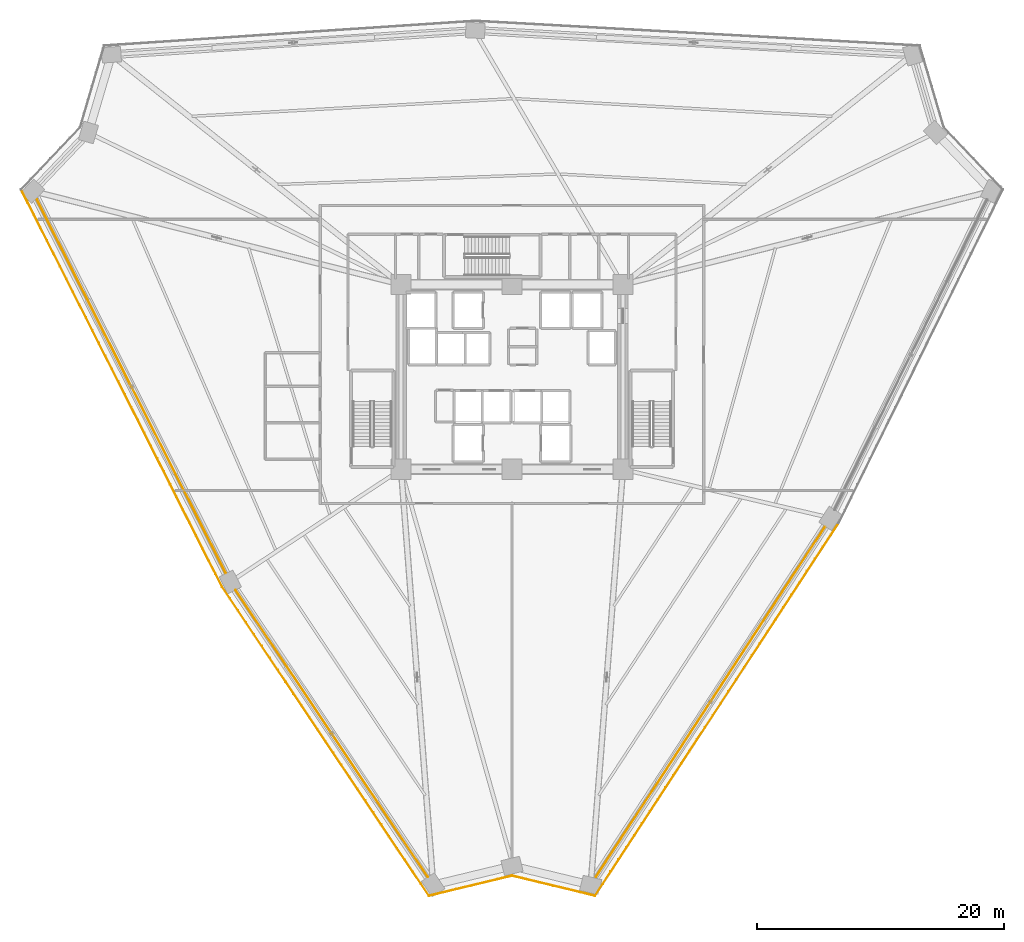
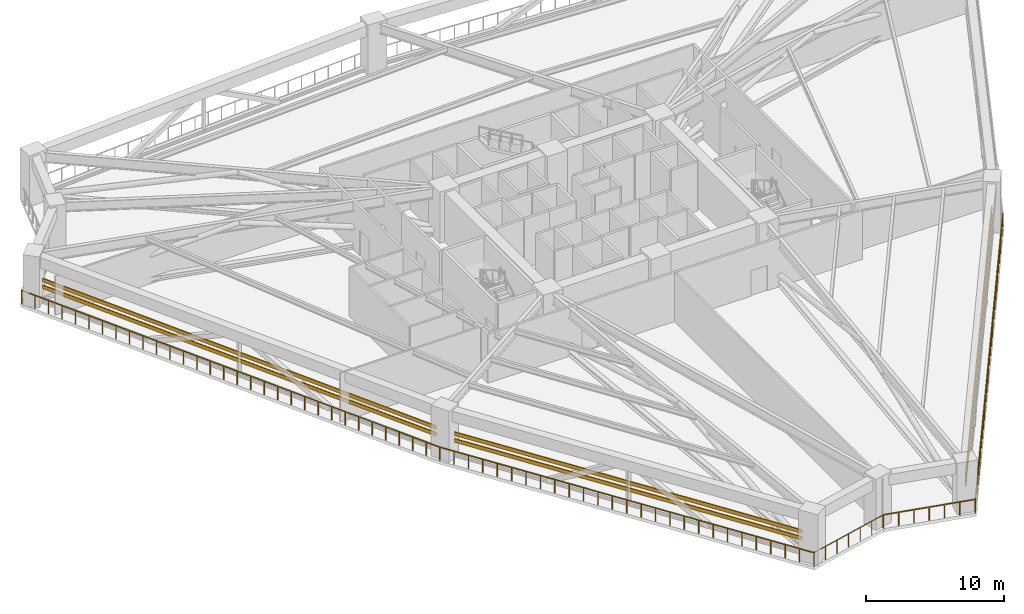
# One storey, part 21 of 25: 6 shading devices, 5 railings.
"""IFC4 building model written with IfcOpenShell, lengths in metres."""

from ifc_helpers import new_model, si_unit, direction, frame, origin, origin_2d, place, context, subcontext, project, spatial, rectangle, extrude, source, transform, mapped, material, material_profile, profile_set, type_object, element, save


model = new_model("IFC4")

# Units and contexts
model_context = context("Model", 3, precision=1e-05, world=origin(), true_north=direction((0.0, 1.0)))
body_context = subcontext(model_context, "Body", "Model", "MODEL_VIEW")
ifc_project = project(units=[si_unit("LENGTHUNIT", "METRE"), si_unit("AREAUNIT", "SQUARE_METRE"), si_unit("VOLUMEUNIT", "CUBIC_METRE"), si_unit("PLANEANGLEUNIT", "RADIAN"), si_unit("MASSUNIT", "GRAM", prefix="KILO")], contexts=[model_context])

# Site, building, storey
site_placement = place(None, origin())
site = spatial("IfcSite", under=ifc_project, at=site_placement, CompositionType="ELEMENT")
building_placement = place(site_placement, origin())
building = spatial("IfcBuilding", under=site, at=building_placement, Name="Liaohun Quay Tower", CompositionType="ELEMENT")
storey_placement = place(building_placement, frame((0.0, 0.0, 47.25)))
storey = spatial("IfcBuildingStorey", under=building, at=storey_placement, Name="L12", CompositionType="ELEMENT", Elevation=47.25)

# Railings
ifc_material_1 = material(Name="Galvanised and powder-coated steel", Category="steel")
railing_type = type_object("IfcRailingType", Name="RLG-GUARD-EXT", PredefinedType="GUARDRAIL", material=ifc_material_1)
railing_1_placement = place(storey_placement, frame((53.264892578125, 11.906005859375, 0.0)))
element("IfcRailing", 1, at=railing_1_placement, inside=storey, type_object=railing_type, Name="L12 Open Refuge Band Perimeter Guardrail 01", PredefinedType="GUARDRAIL", context=body_context, shape_type="SweptSolid", body=[
    extrude(rectangle(XDim=0.048095703125, YDim=0.048095703125, at=origin_2d()), frame((0.0, 0.0, 1.17578125), z_axis=(-0.556400231547, 0.830914425398, 0.0), x_axis=(-0.830914425398, -0.556400231547, 0.0)), (0.0, 0.0, 1.0), 30.17041015625),
    extrude(rectangle(XDim=0.0419921875, YDim=0.0419921875, at=origin_2d()), origin(), (0.0, 0.0, 1.0), 1.15185546875),
    extrude(rectangle(XDim=0.0419921875, YDim=0.0419921875, at=origin_2d()), frame((-0.645751953125, 0.964111328125, 0.0)), (0.0, 0.0, 1.0), 1.15185546875),
    extrude(rectangle(XDim=0.0419921875, YDim=0.0419921875, at=origin_2d()), frame((-1.291259765625, 1.928466796875, 0.0)), (0.0, 0.0, 1.0), 1.15185546875),
    extrude(rectangle(XDim=0.0419921875, YDim=0.0419921875, at=origin_2d()), frame((-1.93701171875, 2.892578125, 0.0)), (0.0, 0.0, 1.0), 1.15185546875),
    extrude(rectangle(XDim=0.0419921875, YDim=0.0419921875, at=origin_2d()), frame((-2.58251953125, 3.856689453125, 0.0)), (0.0, 0.0, 1.0), 1.15185546875),
    extrude(rectangle(XDim=0.0419921875, YDim=0.0419921875, at=origin_2d()), frame((-3.228271484375, 4.821044921875, 0.0)), (0.0, 0.0, 1.0), 1.15185546875),
    extrude(rectangle(XDim=0.0419921875, YDim=0.0419921875, at=origin_2d()), frame((-3.873779296875, 5.78515625, 0.0)), (0.0, 0.0, 1.0), 1.15185546875),
    extrude(rectangle(XDim=0.0419921875, YDim=0.0419921875, at=origin_2d()), frame((-4.51953125, 6.749267578125, 0.0)), (0.0, 0.0, 1.0), 1.15185546875),
    extrude(rectangle(XDim=0.0419921875, YDim=0.0419921875, at=origin_2d()), frame((-5.165283203125, 7.713623046875, 0.0)), (0.0, 0.0, 1.0), 1.15185546875),
    extrude(rectangle(XDim=0.0419921875, YDim=0.0419921875, at=origin_2d()), frame((-5.810791015625, 8.677734375, 0.0)), (0.0, 0.0, 1.0), 1.15185546875),
    extrude(rectangle(XDim=0.0419921875, YDim=0.0419921875, at=origin_2d()), frame((-6.45654296875, 9.641845703125, 0.0)), (0.0, 0.0, 1.0), 1.15185546875),
    extrude(rectangle(XDim=0.0419921875, YDim=0.0419921875, at=origin_2d()), frame((-7.10205078125, 10.606201171875, 0.0)), (0.0, 0.0, 1.0), 1.15185546875),
    extrude(rectangle(XDim=0.0419921875, YDim=0.0419921875, at=origin_2d()), frame((-7.747802734375, 11.5703125, 0.0)), (0.0, 0.0, 1.0), 1.15185546875),
    extrude(rectangle(XDim=0.0419921875, YDim=0.0419921875, at=origin_2d()), frame((-8.3935546875, 12.53466796875, 0.0)), (0.0, 0.0, 1.0), 1.15185546875),
    extrude(rectangle(XDim=0.0419921875, YDim=0.0419921875, at=origin_2d()), frame((-9.0390625, 13.498779296875, 0.0)), (0.0, 0.0, 1.0), 1.15185546875),
    extrude(rectangle(XDim=0.0419921875, YDim=0.0419921875, at=origin_2d()), frame((-9.684814453125, 14.462890625, 0.0)), (0.0, 0.0, 1.0), 1.15185546875),
    extrude(rectangle(XDim=0.0419921875, YDim=0.0419921875, at=origin_2d()), frame((-10.330322265625, 15.42724609375, 0.0)), (0.0, 0.0, 1.0), 1.15185546875),
    extrude(rectangle(XDim=0.0419921875, YDim=0.0419921875, at=origin_2d()), frame((-10.97607421875, 16.391357421875, 0.0)), (0.0, 0.0, 1.0), 1.15185546875),
    extrude(rectangle(XDim=0.0419921875, YDim=0.0419921875, at=origin_2d()), frame((-11.62158203125, 17.35546875, 0.0)), (0.0, 0.0, 1.0), 1.15185546875),
    extrude(rectangle(XDim=0.0419921875, YDim=0.0419921875, at=origin_2d()), frame((-12.267333984375, 18.31982421875, 0.0)), (0.0, 0.0, 1.0), 1.15185546875),
    extrude(rectangle(XDim=0.0419921875, YDim=0.0419921875, at=origin_2d()), frame((-12.9130859375, 19.283935546875, 0.0)), (0.0, 0.0, 1.0), 1.15185546875),
    extrude(rectangle(XDim=0.0419921875, YDim=0.0419921875, at=origin_2d()), frame((-13.55859375, 20.248046875, 0.0)), (0.0, 0.0, 1.0), 1.15185546875),
    extrude(rectangle(XDim=0.0419921875, YDim=0.0419921875, at=origin_2d()), frame((-14.204345703125, 21.21240234375, 0.0)), (0.0, 0.0, 1.0), 1.15185546875),
    extrude(rectangle(XDim=0.0419921875, YDim=0.0419921875, at=origin_2d()), frame((-14.849853515625, 22.176513671875, 0.0)), (0.0, 0.0, 1.0), 1.15185546875),
    extrude(rectangle(XDim=0.0419921875, YDim=0.0419921875, at=origin_2d()), frame((-15.49560546875, 23.140625, 0.0)), (0.0, 0.0, 1.0), 1.15185546875),
    extrude(rectangle(XDim=0.0419921875, YDim=0.0419921875, at=origin_2d()), frame((-16.14111328125, 24.10498046875, 0.0)), (0.0, 0.0, 1.0), 1.15185546875),
    extrude(rectangle(XDim=0.0419921875, YDim=0.0419921875, at=origin_2d()), frame((-16.786865234375, 25.069091796875, 0.0)), (0.0, 0.0, 1.0), 1.15185546875),
])
railing_2_placement = place(storey_placement, frame((36.47802734375, 36.97509765625, 0.0)))
element("IfcRailing", 2, at=railing_2_placement, inside=storey, type_object=railing_type, Name="L12 Open Refuge Band Perimeter Guardrail 02", PredefinedType="GUARDRAIL", context=body_context, shape_type="SweptSolid", body=[
    extrude(rectangle(XDim=0.048095703125, YDim=0.048095703125, at=origin_2d()), frame((0.0, 0.0, 1.17578125), z_axis=(-0.451163945197, 0.892441087442, 0.0), x_axis=(-0.892441087442, -0.451163945197, 0.0)), (0.0, 0.0, 1.0), 36.126708984375),
    extrude(rectangle(XDim=0.0419921875, YDim=0.0419921875, at=origin_2d()), origin(), (0.0, 0.0, 1.0), 1.15185546875),
    extrude(rectangle(XDim=0.0419921875, YDim=0.0419921875, at=origin_2d()), frame((-0.52587890625, 1.0400390625, 0.0)), (0.0, 0.0, 1.0), 1.15185546875),
    extrude(rectangle(XDim=0.0419921875, YDim=0.0419921875, at=origin_2d()), frame((-1.051513671875, 2.080078125, 0.0)), (0.0, 0.0, 1.0), 1.15185546875),
    extrude(rectangle(XDim=0.0419921875, YDim=0.0419921875, at=origin_2d()), frame((-1.577392578125, 3.1201171875, 0.0)), (0.0, 0.0, 1.0), 1.15185546875),
    extrude(rectangle(XDim=0.0419921875, YDim=0.0419921875, at=origin_2d()), frame((-2.10302734375, 4.16015625, 0.0)), (0.0, 0.0, 1.0), 1.15185546875),
    extrude(rectangle(XDim=0.0419921875, YDim=0.0419921875, at=origin_2d()), frame((-2.62890625, 5.2001953125, 0.0)), (0.0, 0.0, 1.0), 1.15185546875),
    extrude(rectangle(XDim=0.0419921875, YDim=0.0419921875, at=origin_2d()), frame((-3.154541015625, 6.240234375, 0.0)), (0.0, 0.0, 1.0), 1.15185546875),
    extrude(rectangle(XDim=0.0419921875, YDim=0.0419921875, at=origin_2d()), frame((-3.680419921875, 7.2802734375, 0.0)), (0.0, 0.0, 1.0), 1.15185546875),
    extrude(rectangle(XDim=0.0419921875, YDim=0.0419921875, at=origin_2d()), frame((-4.206298828125, 8.3203125, 0.0)), (0.0, 0.0, 1.0), 1.15185546875),
    extrude(rectangle(XDim=0.0419921875, YDim=0.0419921875, at=origin_2d()), frame((-4.73193359375, 9.3603515625, 0.0)), (0.0, 0.0, 1.0), 1.15185546875),
    extrude(rectangle(XDim=0.0419921875, YDim=0.0419921875, at=origin_2d()), frame((-5.2578125, 10.400390625, 0.0)), (0.0, 0.0, 1.0), 1.15185546875),
    extrude(rectangle(XDim=0.0419921875, YDim=0.0419921875, at=origin_2d()), frame((-5.783447265625, 11.4404296875, 0.0)), (0.0, 0.0, 1.0), 1.15185546875),
    extrude(rectangle(XDim=0.0419921875, YDim=0.0419921875, at=origin_2d()), frame((-6.309326171875, 12.48046875, 0.0)), (0.0, 0.0, 1.0), 1.15185546875),
    extrude(rectangle(XDim=0.0419921875, YDim=0.0419921875, at=origin_2d()), frame((-6.835205078125, 13.5205078125, 0.0)), (0.0, 0.0, 1.0), 1.15185546875),
    extrude(rectangle(XDim=0.0419921875, YDim=0.0419921875, at=origin_2d()), frame((-7.36083984375, 14.560546875, 0.0)), (0.0, 0.0, 1.0), 1.15185546875),
    extrude(rectangle(XDim=0.0419921875, YDim=0.0419921875, at=origin_2d()), frame((-7.88671875, 15.6005859375, 0.0)), (0.0, 0.0, 1.0), 1.15185546875),
    extrude(rectangle(XDim=0.0419921875, YDim=0.0419921875, at=origin_2d()), frame((-8.412353515625, 16.640380859375, 0.0)), (0.0, 0.0, 1.0), 1.15185546875),
    extrude(rectangle(XDim=0.0419921875, YDim=0.0419921875, at=origin_2d()), frame((-8.938232421875, 17.680419921875, 0.0)), (0.0, 0.0, 1.0), 1.15185546875),
    extrude(rectangle(XDim=0.0419921875, YDim=0.0419921875, at=origin_2d()), frame((-9.4638671875, 18.720458984375, 0.0)), (0.0, 0.0, 1.0), 1.15185546875),
    extrude(rectangle(XDim=0.0419921875, YDim=0.0419921875, at=origin_2d()), frame((-9.98974609375, 19.760498046875, 0.0)), (0.0, 0.0, 1.0), 1.15185546875),
    extrude(rectangle(XDim=0.0419921875, YDim=0.0419921875, at=origin_2d()), frame((-10.515625, 20.800537109375, 0.0)), (0.0, 0.0, 1.0), 1.15185546875),
    extrude(rectangle(XDim=0.0419921875, YDim=0.0419921875, at=origin_2d()), frame((-11.041259765625, 21.840576171875, 0.0)), (0.0, 0.0, 1.0), 1.15185546875),
    extrude(rectangle(XDim=0.0419921875, YDim=0.0419921875, at=origin_2d()), frame((-11.567138671875, 22.880615234375, 0.0)), (0.0, 0.0, 1.0), 1.15185546875),
    extrude(rectangle(XDim=0.0419921875, YDim=0.0419921875, at=origin_2d()), frame((-12.0927734375, 23.920654296875, 0.0)), (0.0, 0.0, 1.0), 1.15185546875),
    extrude(rectangle(XDim=0.0419921875, YDim=0.0419921875, at=origin_2d()), frame((-12.61865234375, 24.960693359375, 0.0)), (0.0, 0.0, 1.0), 1.15185546875),
    extrude(rectangle(XDim=0.0419921875, YDim=0.0419921875, at=origin_2d()), frame((-13.14453125, 26.000732421875, 0.0)), (0.0, 0.0, 1.0), 1.15185546875),
    extrude(rectangle(XDim=0.0419921875, YDim=0.0419921875, at=origin_2d()), frame((-13.670166015625, 27.040771484375, 0.0)), (0.0, 0.0, 1.0), 1.15185546875),
    extrude(rectangle(XDim=0.0419921875, YDim=0.0419921875, at=origin_2d()), frame((-14.196044921875, 28.080810546875, 0.0)), (0.0, 0.0, 1.0), 1.15185546875),
    extrude(rectangle(XDim=0.0419921875, YDim=0.0419921875, at=origin_2d()), frame((-14.7216796875, 29.120849609375, 0.0)), (0.0, 0.0, 1.0), 1.15185546875),
    extrude(rectangle(XDim=0.0419921875, YDim=0.0419921875, at=origin_2d()), frame((-15.24755859375, 30.160888671875, 0.0)), (0.0, 0.0, 1.0), 1.15185546875),
    extrude(rectangle(XDim=0.0419921875, YDim=0.0419921875, at=origin_2d()), frame((-15.773193359375, 31.200927734375, 0.0)), (0.0, 0.0, 1.0), 1.15185546875),
    extrude(rectangle(XDim=0.0419921875, YDim=0.0419921875, at=origin_2d()), frame((-16.299072265625, 32.240966796875, 0.0)), (0.0, 0.0, 1.0), 1.15185546875),
])
railing_3_placement = place(storey_placement, frame((86.50390625, 42.14208984375, 0.0)))
element("IfcRailing", 3, at=railing_3_placement, inside=storey, type_object=railing_type, Name="L12 Open Refuge Band Perimeter Guardrail 10", PredefinedType="GUARDRAIL", context=body_context, shape_type="SweptSolid", body=[
    extrude(rectangle(XDim=0.048095703125, YDim=0.048095703125, at=origin_2d()), frame((0.0, 0.0, 1.17578125), z_axis=(-0.547254643367, -0.836966161391, 0.0), x_axis=(0.836966161391, -0.547254643367, 0.0)), (0.0, 0.0, 1.0), 36.125732421875),
    extrude(rectangle(XDim=0.0419921875, YDim=0.0419921875, at=origin_2d()), origin(), (0.0, 0.0, 1.0), 1.15185546875),
    extrude(rectangle(XDim=0.0419921875, YDim=0.0419921875, at=origin_2d()), frame((-0.6376953125, -0.975341796875, 0.0)), (0.0, 0.0, 1.0), 1.15185546875),
    extrude(rectangle(XDim=0.0419921875, YDim=0.0419921875, at=origin_2d()), frame((-1.275390625, -1.95068359375, 0.0)), (0.0, 0.0, 1.0), 1.15185546875),
    extrude(rectangle(XDim=0.0419921875, YDim=0.0419921875, at=origin_2d()), frame((-1.913330078125, -2.926025390625, 0.0)), (0.0, 0.0, 1.0), 1.15185546875),
    extrude(rectangle(XDim=0.0419921875, YDim=0.0419921875, at=origin_2d()), frame((-2.551025390625, -3.9013671875, 0.0)), (0.0, 0.0, 1.0), 1.15185546875),
    extrude(rectangle(XDim=0.0419921875, YDim=0.0419921875, at=origin_2d()), frame((-3.188720703125, -4.876708984375, 0.0)), (0.0, 0.0, 1.0), 1.15185546875),
    extrude(rectangle(XDim=0.0419921875, YDim=0.0419921875, at=origin_2d()), frame((-3.826416015625, -5.85205078125, 0.0)), (0.0, 0.0, 1.0), 1.15185546875),
    extrude(rectangle(XDim=0.0419921875, YDim=0.0419921875, at=origin_2d()), frame((-4.464111328125, -6.827392578125, 0.0)), (0.0, 0.0, 1.0), 1.15185546875),
    extrude(rectangle(XDim=0.0419921875, YDim=0.0419921875, at=origin_2d()), frame((-5.10205078125, -7.802978515625, 0.0)), (0.0, 0.0, 1.0), 1.15185546875),
    extrude(rectangle(XDim=0.0419921875, YDim=0.0419921875, at=origin_2d()), frame((-5.73974609375, -8.7783203125, 0.0)), (0.0, 0.0, 1.0), 1.15185546875),
    extrude(rectangle(XDim=0.0419921875, YDim=0.0419921875, at=origin_2d()), frame((-6.37744140625, -9.753662109375, 0.0)), (0.0, 0.0, 1.0), 1.15185546875),
    extrude(rectangle(XDim=0.0419921875, YDim=0.0419921875, at=origin_2d()), frame((-7.01513671875, -10.72900390625, 0.0)), (0.0, 0.0, 1.0), 1.15185546875),
    extrude(rectangle(XDim=0.0419921875, YDim=0.0419921875, at=origin_2d()), frame((-7.65283203125, -11.704345703125, 0.0)), (0.0, 0.0, 1.0), 1.15185546875),
    extrude(rectangle(XDim=0.0419921875, YDim=0.0419921875, at=origin_2d()), frame((-8.290771484375, -12.6796875, 0.0)), (0.0, 0.0, 1.0), 1.15185546875),
    extrude(rectangle(XDim=0.0419921875, YDim=0.0419921875, at=origin_2d()), frame((-8.928466796875, -13.655029296875, 0.0)), (0.0, 0.0, 1.0), 1.15185546875),
    extrude(rectangle(XDim=0.0419921875, YDim=0.0419921875, at=origin_2d()), frame((-9.566162109375, -14.63037109375, 0.0)), (0.0, 0.0, 1.0), 1.15185546875),
    extrude(rectangle(XDim=0.0419921875, YDim=0.0419921875, at=origin_2d()), frame((-10.203857421875, -15.605712890625, 0.0)), (0.0, 0.0, 1.0), 1.15185546875),
    extrude(rectangle(XDim=0.0419921875, YDim=0.0419921875, at=origin_2d()), frame((-10.841552734375, -16.5810546875, 0.0)), (0.0, 0.0, 1.0), 1.15185546875),
    extrude(rectangle(XDim=0.0419921875, YDim=0.0419921875, at=origin_2d()), frame((-11.479248046875, -17.556396484375, 0.0)), (0.0, 0.0, 1.0), 1.15185546875),
    extrude(rectangle(XDim=0.0419921875, YDim=0.0419921875, at=origin_2d()), frame((-12.1171875, -18.53173828125, 0.0)), (0.0, 0.0, 1.0), 1.15185546875),
    extrude(rectangle(XDim=0.0419921875, YDim=0.0419921875, at=origin_2d()), frame((-12.7548828125, -19.507080078125, 0.0)), (0.0, 0.0, 1.0), 1.15185546875),
    extrude(rectangle(XDim=0.0419921875, YDim=0.0419921875, at=origin_2d()), frame((-13.392578125, -20.482421875, 0.0)), (0.0, 0.0, 1.0), 1.15185546875),
    extrude(rectangle(XDim=0.0419921875, YDim=0.0419921875, at=origin_2d()), frame((-14.0302734375, -21.457763671875, 0.0)), (0.0, 0.0, 1.0), 1.15185546875),
    extrude(rectangle(XDim=0.0419921875, YDim=0.0419921875, at=origin_2d()), frame((-14.66796875, -22.43310546875, 0.0)), (0.0, 0.0, 1.0), 1.15185546875),
    extrude(rectangle(XDim=0.0419921875, YDim=0.0419921875, at=origin_2d()), frame((-15.305908203125, -23.40869140625, 0.0)), (0.0, 0.0, 1.0), 1.15185546875),
    extrude(rectangle(XDim=0.0419921875, YDim=0.0419921875, at=origin_2d()), frame((-15.943603515625, -24.384033203125, 0.0)), (0.0, 0.0, 1.0), 1.15185546875),
    extrude(rectangle(XDim=0.0419921875, YDim=0.0419921875, at=origin_2d()), frame((-16.581298828125, -25.359375, 0.0)), (0.0, 0.0, 1.0), 1.15185546875),
    extrude(rectangle(XDim=0.0419921875, YDim=0.0419921875, at=origin_2d()), frame((-17.218994140625, -26.334716796875, 0.0)), (0.0, 0.0, 1.0), 1.15185546875),
    extrude(rectangle(XDim=0.0419921875, YDim=0.0419921875, at=origin_2d()), frame((-17.856689453125, -27.31005859375, 0.0)), (0.0, 0.0, 1.0), 1.15185546875),
    extrude(rectangle(XDim=0.0419921875, YDim=0.0419921875, at=origin_2d()), frame((-18.49462890625, -28.285400390625, 0.0)), (0.0, 0.0, 1.0), 1.15185546875),
    extrude(rectangle(XDim=0.0419921875, YDim=0.0419921875, at=origin_2d()), frame((-19.13232421875, -29.2607421875, 0.0)), (0.0, 0.0, 1.0), 1.15185546875),
    extrude(rectangle(XDim=0.0419921875, YDim=0.0419921875, at=origin_2d()), frame((-19.77001953125, -30.236083984375, 0.0)), (0.0, 0.0, 1.0), 1.15185546875),
])
railing_4_placement = place(storey_placement, frame((66.73388671875, 11.906005859375, 0.0)))
element("IfcRailing", 4, at=railing_4_placement, inside=storey, type_object=railing_type, Name="L12 Open Refuge Band Perimeter Guardrail 11", PredefinedType="GUARDRAIL", context=body_context, shape_type="SweptSolid", body=[
    extrude(rectangle(XDim=0.048095703125, YDim=0.048095703125, at=origin_2d()), frame((0.0, 0.0, 1.17578125), z_axis=(-0.972063911098, 0.234716323976, 0.0), x_axis=(-0.234716323976, -0.972063911098, 0.0)), (0.0, 0.0, 1.0), 6.927490234375),
    extrude(rectangle(XDim=0.0419921875, YDim=0.0419921875, at=origin_2d()), origin(), (0.0, 0.0, 1.0), 1.15185546875),
    extrude(rectangle(XDim=0.0419921875, YDim=0.0419921875, at=origin_2d()), frame((-1.122314453125, 0.27099609375, 0.0)), (0.0, 0.0, 1.0), 1.15185546875),
    extrude(rectangle(XDim=0.0419921875, YDim=0.0419921875, at=origin_2d()), frame((-2.24462890625, 0.5419921875, 0.0)), (0.0, 0.0, 1.0), 1.15185546875),
    extrude(rectangle(XDim=0.0419921875, YDim=0.0419921875, at=origin_2d()), frame((-3.366943359375, 0.81298828125, 0.0)), (0.0, 0.0, 1.0), 1.15185546875),
    extrude(rectangle(XDim=0.0419921875, YDim=0.0419921875, at=origin_2d()), frame((-4.4892578125, 1.083984375, 0.0)), (0.0, 0.0, 1.0), 1.15185546875),
    extrude(rectangle(XDim=0.0419921875, YDim=0.0419921875, at=origin_2d()), frame((-5.611572265625, 1.35498046875, 0.0)), (0.0, 0.0, 1.0), 1.15185546875),
    extrude(rectangle(XDim=0.0419921875, YDim=0.0419921875, at=origin_2d()), frame((-6.73388671875, 1.6259765625, 0.0)), (0.0, 0.0, 1.0), 1.15185546875),
])
railing_5_placement = place(storey_placement, frame((60.0, 13.531982421875, 0.0)))
element("IfcRailing", 5, at=railing_5_placement, inside=storey, type_object=railing_type, Name="L12 Open Refuge Band Perimeter Guardrail 12", PredefinedType="GUARDRAIL", context=body_context, shape_type="SweptSolid", body=[
    extrude(rectangle(XDim=0.048095703125, YDim=0.048095703125, at=origin_2d()), frame((0.0, 0.0, 1.17578125), z_axis=(-0.972073616512, -0.234676125928, 0.0), x_axis=(0.234676125928, -0.972073616512, 0.0)), (0.0, 0.0, 1.0), 6.9287109375),
    extrude(rectangle(XDim=0.0419921875, YDim=0.0419921875, at=origin_2d()), origin(), (0.0, 0.0, 1.0), 1.15185546875),
    extrude(rectangle(XDim=0.0419921875, YDim=0.0419921875, at=origin_2d()), frame((-1.12255859375, -0.27099609375, 0.0)), (0.0, 0.0, 1.0), 1.15185546875),
    extrude(rectangle(XDim=0.0419921875, YDim=0.0419921875, at=origin_2d()), frame((-2.2451171875, -0.5419921875, 0.0)), (0.0, 0.0, 1.0), 1.15185546875),
    extrude(rectangle(XDim=0.0419921875, YDim=0.0419921875, at=origin_2d()), frame((-3.36767578125, -0.81298828125, 0.0)), (0.0, 0.0, 1.0), 1.15185546875),
    extrude(rectangle(XDim=0.0419921875, YDim=0.0419921875, at=origin_2d()), frame((-4.489990234375, -1.083984375, 0.0)), (0.0, 0.0, 1.0), 1.15185546875),
    extrude(rectangle(XDim=0.0419921875, YDim=0.0419921875, at=origin_2d()), frame((-5.612548828125, -1.35498046875, 0.0)), (0.0, 0.0, 1.0), 1.15185546875),
    extrude(rectangle(XDim=0.0419921875, YDim=0.0419921875, at=origin_2d()), frame((-6.735107421875, -1.6259765625, 0.0)), (0.0, 0.0, 1.0), 1.15185546875),
])

# Shading devices
ifc_material_2 = material(Name="Fluorocarbon-coated aluminium", Category="aluminium")
ifc_material_profile = material_profile(ifc_material_2, rectangle(XDim=0.06494140625, YDim=0.320068359375, at=origin_2d()), Name="ALU-LVR-320x65")
ifc_profile_set = profile_set([ifc_material_profile], Name="Fluorocarbon-coated aluminium")
shading_device_type = type_object("IfcShadingDeviceType", Name="SHD-LVR-REF", PredefinedType="USERDEFINED", material=ifc_profile_set)
shared_shape_1 = source(origin(), body_context, "Body", "SweptSolid", [
    extrude(rectangle(XDim=0.06494140625, YDim=0.320068359375, at=origin_2d()), origin(), (0.0, 0.0, 1.0), 28.056884765625),
])
for number, where, z_axis, x_axis, name in (
    (6, (53.180908203125, 13.416015625, 1.550048828125), (-0.556397860577, 0.830916013051, 0.0), (-0.830916013051, -0.556397860577, 0.0), "L12 Refuge Plant Acoustic Louvre Blade LV-1-01"),
    (7, (53.180908203125, 13.416015625, 2.14990234375), (-0.556397860577, 0.830916013051, 0.0), (-0.830916013051, -0.556397860577, 0.0), "L12 Refuge Plant Acoustic Louvre Blade LV-1-02"),
):
    element("IfcShadingDevice", number, at=place(storey_placement, frame(where, z_axis=z_axis, x_axis=x_axis)), inside=storey, type_object=shading_device_type, Name=name, ObjectType="LOUVRE", PredefinedType="USERDEFINED", context=body_context, shape_type="MappedRepresentation", body=[
        mapped(shared_shape_1, transform((0.0, 0.0, 0.0), x_axis=(1.0, 0.0, 0.0), y_axis=(0.0, 1.0, 0.0), z_axis=(0.0, 0.0, 1.0), scale=1.0)),
    ])
shared_shape_2 = source(origin(), body_context, "Body", "SweptSolid", [
    extrude(rectangle(XDim=0.06494140625, YDim=0.320068359375, at=origin_2d()), origin(), (0.0, 0.0, 1.0), 34.005126953125),
])
for number, where, z_axis, x_axis, name in (
    (8, (36.799072265625, 38.048095703125, 1.550048828125), (-0.451198099626, 0.892423820219, 0.0), (-0.892423820219, -0.451198099626, 0.0), "L12 Refuge Plant Acoustic Louvre Blade LV-1-03"),
    (9, (36.799072265625, 38.048095703125, 2.14990234375), (-0.451198099626, 0.892423820219, 0.0), (-0.892423820219, -0.451198099626, 0.0), "L12 Refuge Plant Acoustic Louvre Blade LV-1-04"),
):
    element("IfcShadingDevice", number, at=place(storey_placement, frame(where, z_axis=z_axis, x_axis=x_axis)), inside=storey, type_object=shading_device_type, Name=name, ObjectType="LOUVRE", PredefinedType="USERDEFINED", context=body_context, shape_type="MappedRepresentation", body=[
        mapped(shared_shape_2, transform((0.0, 0.0, 0.0), x_axis=(1.0, 0.0, 0.0), y_axis=(0.0, 1.0, 0.0), z_axis=(0.0, 0.0, 1.0), scale=1.0)),
    ])
shared_shape_3 = source(origin(), body_context, "Body", "SweptSolid", [
    extrude(rectangle(XDim=0.06494140625, YDim=0.320068359375, at=origin_2d()), origin(), (0.0, 0.0, 1.0), 34.005615234375),
])
for number, where, z_axis, x_axis, name in (
    (10, (85.4150390625, 41.884033203125, 1.550048828125), (-0.547237369938, -0.836977455457, 0.0), (0.836977455457, -0.547237369938, 0.0), "L12 Refuge Plant Acoustic Louvre Blade LV-1-07"),
    (11, (85.4150390625, 41.884033203125, 2.14990234375), (-0.547237369938, -0.836977455457, 0.0), (0.836977455457, -0.547237369938, 0.0), "L12 Refuge Plant Acoustic Louvre Blade LV-1-08"),
):
    element("IfcShadingDevice", number, at=place(storey_placement, frame(where, z_axis=z_axis, x_axis=x_axis)), inside=storey, type_object=shading_device_type, Name=name, ObjectType="LOUVRE", PredefinedType="USERDEFINED", context=body_context, shape_type="MappedRepresentation", body=[
        mapped(shared_shape_3, transform((0.0, 0.0, 0.0), x_axis=(1.0, 0.0, 0.0), y_axis=(0.0, 1.0, 0.0), z_axis=(0.0, 0.0, 1.0), scale=1.0)),
    ])

save(model, "model.ifc")
